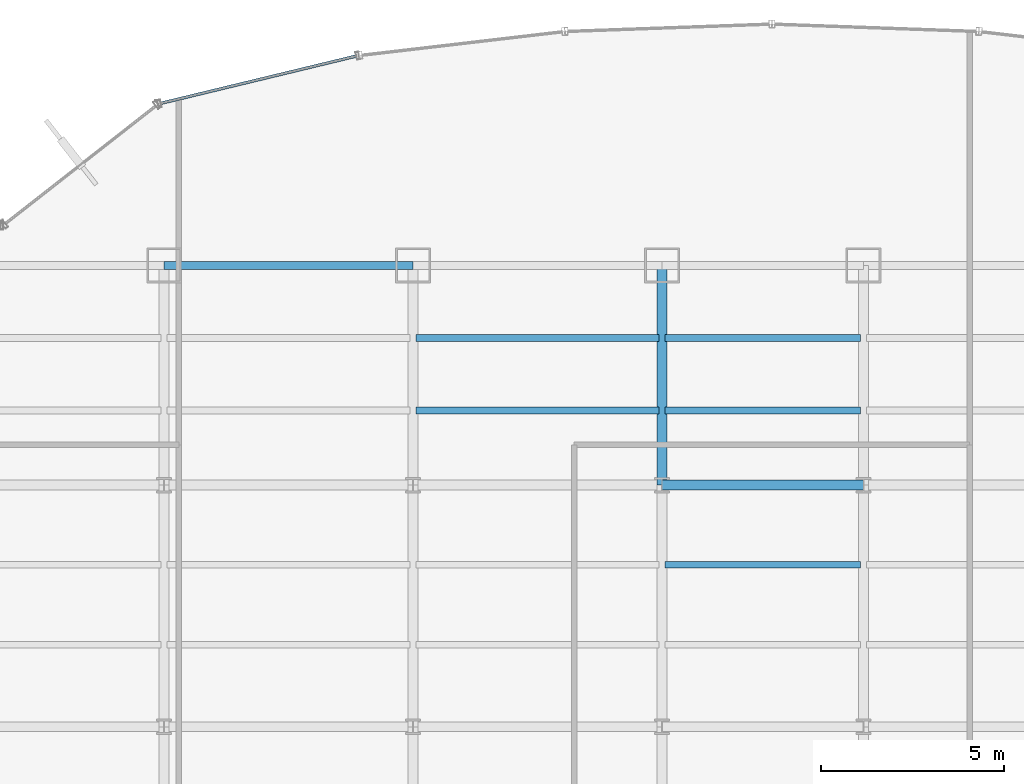
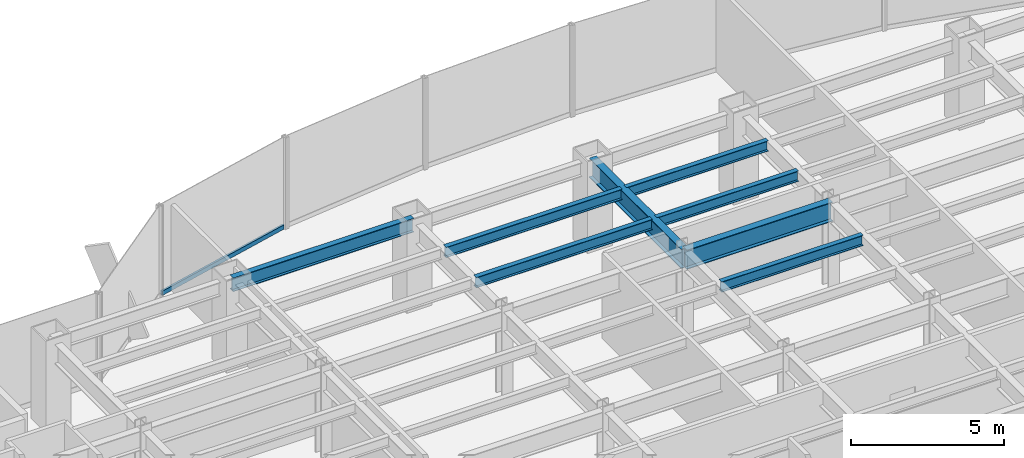
# One storey, part 12 of 23: 8 beams, 1 member, 1 element without a shape of its own.
"""IFC4 building model written with IfcOpenShell, lengths in metres."""

from ifc_helpers import new_model, si_unit, derived_unit, direction, frame, origin, origin_2d, place, context, subcontext, project, spatial, hollow_rectangle, i_section, extrude, source, transform, mapped, material, material_profile, profile_set, type_object, element, aggregate, save


model = new_model("IFC4")

# Units and contexts
model_context = context("Model", 3, precision=1e-05, world=origin(), true_north=direction((0.0, 1.0)))
body_context = subcontext(model_context, "Body", "Model", "MODEL_VIEW")
ifc_project = project(units=[si_unit("LENGTHUNIT", "METRE"), si_unit("AREAUNIT", "SQUARE_METRE"), si_unit("VOLUMEUNIT", "CUBIC_METRE"), si_unit("PLANEANGLEUNIT", "RADIAN"), si_unit("MASSUNIT", "GRAM", prefix="KILO"), derived_unit("THERMALTRANSMITTANCEUNIT", [(si_unit("POWERUNIT", "WATT"), 1), (si_unit("LENGTHUNIT", "METRE"), -2), (si_unit("THERMODYNAMICTEMPERATUREUNIT", "KELVIN"), -1)])], contexts=[model_context])

# Site, building, storey
site_placement = place(None, origin())
site = spatial("IfcSite", under=ifc_project, at=site_placement, CompositionType="ELEMENT")
building_placement = place(site_placement, origin())
building = spatial("IfcBuilding", under=site, at=building_placement, Name="Skarnbrae Concourse Arena and Tower", CompositionType="ELEMENT")
storey_placement = place(building_placement, frame((0.0, 0.0, 50.75)))
storey = spatial("IfcBuildingStorey", under=building, at=storey_placement, Name="L11", CompositionType="ELEMENT", Elevation=50.75)

# Beams
ifc_material_1 = material(Name="Steel CSA G40.21 350W", Category="steel")
ifc_material_profile_1 = material_profile(ifc_material_1, i_section(OverallWidth=0.26806640625, OverallDepth=0.77001953125, WebThickness=0.015625, FlangeThickness=0.025390625, at=origin_2d()), Name="W760X196")
ifc_profile_set_1 = profile_set([ifc_material_profile_1], Name="Steel CSA G40.21 350W")
beam_type_1 = type_object("IfcBeamType", Name="BM-GIRD-W760X196", PredefinedType="BEAM", material=ifc_profile_set_1)
shared_shape_1 = source(origin(), body_context, "Body", "SweptSolid", [
    extrude(i_section(OverallWidth=0.26806640625, OverallDepth=0.77001953125, WebThickness=0.015625, FlangeThickness=0.025390625, at=origin_2d()), origin(), (0.0, 0.0, 1.0), 5.5),
])
beam_1_placement = place(storey_placement, frame((28.0, 34.39990234375, 3.014892578125), z_axis=(1.0, 0.0, 0.0), x_axis=(0.0, 1.0, 0.0)))
element("IfcBeam", 1, at=beam_1_placement, inside=storey, type_object=beam_type_1, Name="L11 Primary E-W girder Y34.4-5", PredefinedType="BEAM", context=body_context, shape_type="MappedRepresentation", body=[
    mapped(shared_shape_1, transform((0.0, 0.0, 0.0))),
])
shared_shape_2 = source(origin(), body_context, "Body", "SweptSolid", [
    extrude(i_section(OverallWidth=0.26806640625, OverallDepth=0.77001953125, WebThickness=0.015625, FlangeThickness=0.025390625, at=origin_2d()), origin(), (0.0, 0.0, 1.0), 6.0),
])
beam_2_placement = place(storey_placement, frame((28.0, 34.39990234375, 3.014892578125), z_axis=(0.0, 1.0, 0.0), x_axis=(-1.0, 0.0, 0.0)))
element("IfcBeam", 2, at=beam_2_placement, inside=storey, type_object=beam_type_1, Name="L11 Primary N-S girder X28.0-4", PredefinedType="BEAM", context=body_context, shape_type="MappedRepresentation", body=[
    mapped(shared_shape_2, transform((0.0, 0.0, 0.0))),
])
ifc_material_profile_2 = material_profile(ifc_material_1, i_section(OverallWidth=0.214111328125, OverallDepth=0.549072265625, WebThickness=0.0146484375, FlangeThickness=0.023681640625, at=origin_2d()), Name="W530X138")
ifc_profile_set_2 = profile_set([ifc_material_profile_2], Name="Steel CSA G40.21 350W")
beam_type_2 = type_object("IfcBeamType", Name="BM-SPAN-W530X138", PredefinedType="SPANDREL", material=ifc_profile_set_2)
shared_shape_3 = source(origin(), body_context, "Body", "SweptSolid", [
    extrude(i_section(OverallWidth=0.214111328125, OverallDepth=0.549072265625, WebThickness=0.0146484375, FlangeThickness=0.023681640625, at=origin_2d()), origin(), (0.0, 0.0, 1.0), 6.800048828125),
])
beam_3_placement = place(storey_placement, frame((14.39990234375, 40.39990234375, 3.12548828125), z_axis=(1.0, 0.0, 0.0), x_axis=(0.0, 1.0, 0.0)))
element("IfcBeam", 3, at=beam_3_placement, inside=storey, type_object=beam_type_2, Name="L11 Perimeter spandrel Y40.4-2", PredefinedType="SPANDREL", context=body_context, shape_type="MappedRepresentation", body=[
    mapped(shared_shape_3, transform((0.0, 0.0, 0.0))),
])
ifc_material_profile_3 = material_profile(ifc_material_1, i_section(OverallWidth=0.180908203125, OverallDepth=0.4169921875, WebThickness=0.010986328125, FlangeThickness=0.018310546875, at=origin_2d()), Name="W410X85")
ifc_profile_set_3 = profile_set([ifc_material_profile_3], Name="Steel CSA G40.21 350W")
beam_type_3 = type_object("IfcBeamType", Name="BM-JOIST-W410X85", PredefinedType="JOIST", material=ifc_profile_set_3)
shared_shape_4 = source(origin(), body_context, "Body", "SweptSolid", [
    extrude(i_section(OverallWidth=0.180908203125, OverallDepth=0.4169921875, WebThickness=0.010986328125, FlangeThickness=0.018310546875, at=origin_2d()), origin(), (0.0, 0.0, 1.0), 6.639892578125),
])
for number, where, z_axis, x_axis, name in (
    (4, (21.280029296875, 36.43994140625, 3.19140625), (1.0, 0.0, 0.0), (0.0, 1.0, 0.0), "L11 Secondary floor joist 4.1.3"),
    (5, (21.280029296875, 38.419921875, 3.19140625), (1.0, 0.0, 0.0), (0.0, 1.0, 0.0), "L11 Secondary floor joist 4.2.3"),
):
    element("IfcBeam", number, at=place(storey_placement, frame(where, z_axis=z_axis, x_axis=x_axis)), inside=storey, type_object=beam_type_3, Name=name, PredefinedType="JOIST", context=body_context, shape_type="MappedRepresentation", body=[
        mapped(shared_shape_4, transform((0.0, 0.0, 0.0))),
    ])
shared_shape_5 = source(origin(), body_context, "Body", "SweptSolid", [
    extrude(i_section(OverallWidth=0.180908203125, OverallDepth=0.4169921875, WebThickness=0.010986328125, FlangeThickness=0.018310546875, at=origin_2d()), origin(), (0.0, 0.0, 1.0), 5.33984375),
])
for number, where, z_axis, x_axis, name in (
    (6, (28.080078125, 32.221923828125, 3.19140625), (1.0, 0.0, 0.0), (0.0, 1.0, 0.0), "L11 Secondary floor joist 3.2.5"),
    (7, (28.080078125, 36.43994140625, 3.19140625), (1.0, 0.0, 0.0), (0.0, 1.0, 0.0), "L11 Secondary floor joist 4.1.4"),
    (8, (28.080078125, 38.419921875, 3.19140625), (1.0, 0.0, 0.0), (0.0, 1.0, 0.0), "L11 Secondary floor joist 4.2.4"),
):
    element("IfcBeam", number, at=place(storey_placement, frame(where, z_axis=z_axis, x_axis=x_axis)), inside=storey, type_object=beam_type_3, Name=name, PredefinedType="JOIST", context=body_context, shape_type="MappedRepresentation", body=[
        mapped(shared_shape_5, transform((0.0, 0.0, 0.0))),
    ])

# Curtain wall, member
ifc_material_2 = material(Name="Bronze anodised aluminium 6063-T6", Category="aluminium")
curtain_wall_type = type_object("IfcCurtainWallType", Name="CW-SYS-03-PORTAL", PredefinedType="USERDEFINED", material=ifc_material_2)
curtain_wall_placement = place(storey_placement, origin())
curtain_wall = element("IfcCurtainWall", 9, at=curtain_wall_placement, inside=storey, type_object=curtain_wall_type, Name="L11 Unitised curtain wall CW-L11-E14", ObjectType="UNITISED CURTAIN WALL", PredefinedType="USERDEFINED")
ifc_material_profile_4 = material_profile(ifc_material_2, hollow_rectangle(XDim=0.080078125, YDim=0.169921875, WallThickness=0.00439453125, at=origin_2d()), Name="ALU-TRAN-80X170")
ifc_profile_set_4 = profile_set([ifc_material_profile_4], Name="Bronze anodised aluminium 6063-T6")
member_type = type_object("IfcMemberType", Name="CWT-CW-03", PredefinedType="USERDEFINED", material=ifc_profile_set_4)
shared_shape_6 = source(origin(), body_context, "Body", "SweptSolid", [
    extrude(hollow_rectangle(XDim=0.080078125, YDim=0.169921875, WallThickness=0.00439453125, at=origin_2d()), origin(), (0.0, 0.0, 1.0), 5.4921875),
])
member_placement = place(storey_placement, frame((19.64990234375, 46.12158203125, 0.0849609375), z_axis=(-0.971980728004, -0.235060554728, 0.0), x_axis=(0.235060554728, -0.971980728004, 0.0)))
member = element("IfcMember", 10, at=member_placement, type_object=member_type, Name="CW-L11-E14 Transom 1", ObjectType="TRANSOM", PredefinedType="USERDEFINED", context=body_context, shape_type="MappedRepresentation", body=[
    mapped(shared_shape_6, transform((0.0, 0.0, 0.0))),
])
aggregate(curtain_wall, [member])

save(model, "model.ifc")
